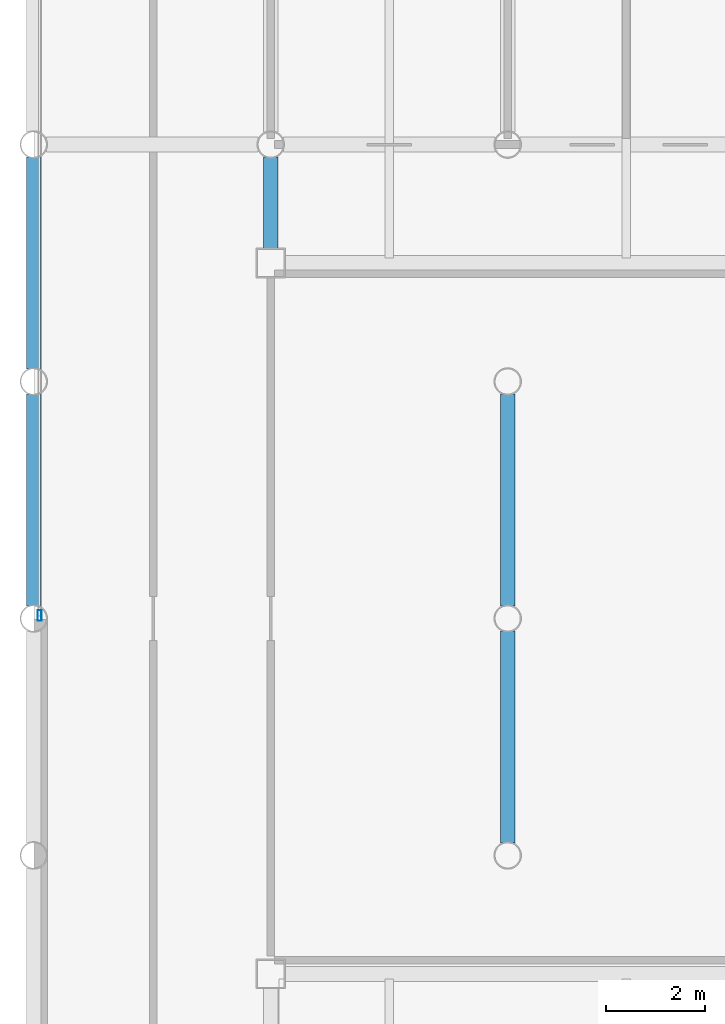
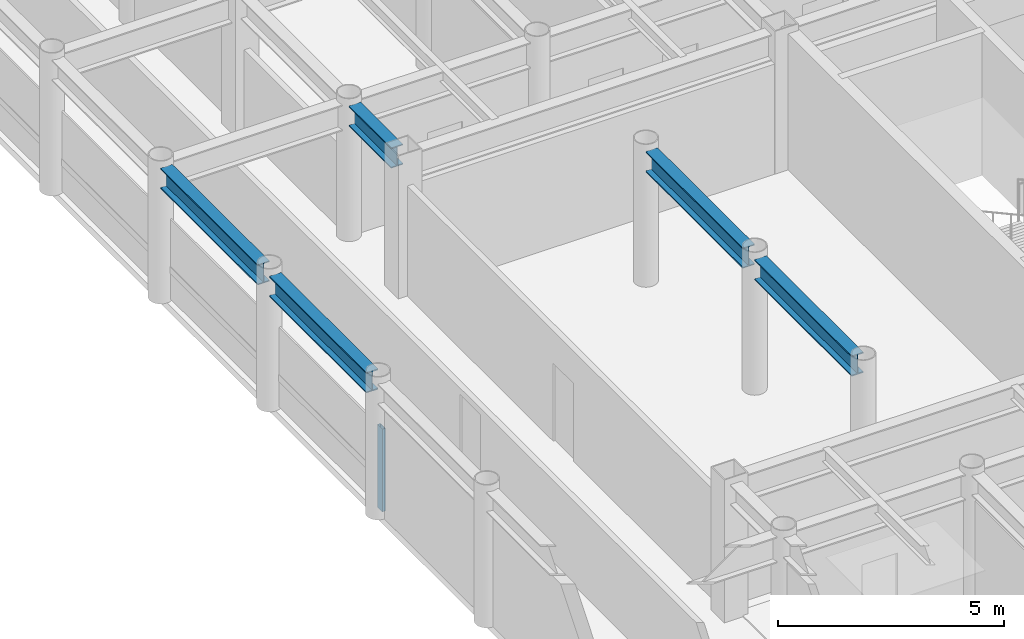
# One storey, part 6 of 24: 5 beams, 1 member, 1 element without a shape of its own.
"""IFC4 building model written with IfcOpenShell, lengths in metres."""

from ifc_helpers import new_model, si_unit, direction, frame, origin, origin_2d, place, context, subcontext, project, spatial, hollow_rectangle, i_section, extrude, material, layer, layer_set, material_profile, profile_set, type_object, element, aggregate, save


model = new_model("IFC4")

# Units and contexts
model_context = context("Model", 3, precision=1e-05, world=origin(), true_north=direction((0.0, 1.0)))
body_context = subcontext(model_context, "Body", "Model", "MODEL_VIEW")
ifc_project = project(units=[si_unit("LENGTHUNIT", "METRE"), si_unit("AREAUNIT", "SQUARE_METRE"), si_unit("VOLUMEUNIT", "CUBIC_METRE"), si_unit("PLANEANGLEUNIT", "RADIAN"), si_unit("MASSUNIT", "GRAM", prefix="KILO")], contexts=[model_context])

# Site, building, storey
site_placement = place(None, origin())
site = spatial("IfcSite", under=ifc_project, at=site_placement, CompositionType="ELEMENT")
building_placement = place(site_placement, origin())
building = spatial("IfcBuilding", under=site, at=building_placement, Name="Kallvorn Hotel Tower", CompositionType="ELEMENT")
storey_placement = place(building_placement, frame((0.0, 0.0, 233.85009765625)))
storey = spatial("IfcBuildingStorey", under=building, at=storey_placement, Name="L58", CompositionType="ELEMENT", Elevation=233.85009765625)

# Beams
ifc_material_1 = material(Name="Structural steel S355JR", Category="steel")
ifc_material_profile_1 = material_profile(ifc_material_1, i_section(OverallWidth=0.300048828125, OverallDepth=0.550048828125, WebThickness=0.014892578125, FlangeThickness=0.029052734375, at=origin_2d()), Name="HE 550 B")
ifc_profile_set_1 = profile_set([ifc_material_profile_1], Name="Structural steel S355JR")
beam_type = type_object("IfcBeamType", Name="BM_HE550B", PredefinedType="SPANDREL", material=ifc_profile_set_1)
for number, where, z_axis, x_axis, name in (
    (1, (-28.800048828125, 0.25439453125, 3.39501953125), (0.0, 1.0, 0.0), (-1.0, 0.0, 0.0), "L59 Primary Y-Girder 77"),
    (2, (-28.800048828125, 5.054443359375, 3.39501953125), (0.0, 1.0, 0.0), (-1.0, 0.0, 0.0), "L59 Primary Y-Girder 78"),
):
    element("IfcBeam", number, at=place(storey_placement, frame(where, z_axis=z_axis, x_axis=x_axis)), inside=storey, type_object=beam_type, Name=name, PredefinedType="SPANDREL", context=body_context, shape_type="SweptSolid", body=[
        extrude(i_section(OverallWidth=0.300048828125, OverallDepth=0.550048828125, WebThickness=0.014892578125, FlangeThickness=0.029052734375, at=origin_2d()), origin(), (0.0, 0.0, 1.0), 4.291015625),
    ])
beam_placement = place(storey_placement, frame((-24.0, 7.47509765625, 3.39501953125), z_axis=(0.0, 1.0, 0.0), x_axis=(-1.0, 0.0, 0.0)))
element("IfcBeam", 3, at=beam_placement, inside=storey, type_object=beam_type, Name="L59 Primary Y-Girder 84", PredefinedType="SPANDREL", context=body_context, shape_type="SweptSolid", body=[
    extrude(i_section(OverallWidth=0.300048828125, OverallDepth=0.550048828125, WebThickness=0.014892578125, FlangeThickness=0.029052734375, at=origin_2d()), origin(), (0.0, 0.0, 1.0), 1.870361328125),
])
for number, where, z_axis, x_axis, name in (
    (4, (-19.199951171875, -4.54541015625, 3.39501953125), (0.0, 1.0, 0.0), (-1.0, 0.0, 0.0), "L59 Primary Y-Girder 91"),
    (5, (-19.199951171875, 0.25439453125, 3.39501953125), (0.0, 1.0, 0.0), (-1.0, 0.0, 0.0), "L59 Primary Y-Girder 92"),
):
    element("IfcBeam", number, at=place(storey_placement, frame(where, z_axis=z_axis, x_axis=x_axis)), inside=storey, type_object=beam_type, Name=name, PredefinedType="SPANDREL", context=body_context, shape_type="SweptSolid", body=[
        extrude(i_section(OverallWidth=0.300048828125, OverallDepth=0.550048828125, WebThickness=0.014892578125, FlangeThickness=0.029052734375, at=origin_2d()), origin(), (0.0, 0.0, 1.0), 4.291015625),
    ])

# Curtain wall, member
ifc_material_2 = material(Name="Thermally broken black-anodised aluminium AA 6063-T6", Category="aluminium")
ifc_layer = layer(ifc_material_2, 0.22998046875)
ifc_layer_set = layer_set([ifc_layer], Name="CW_SYS_5_HOTEL_HIGH")
curtain_wall_type = type_object("IfcCurtainWallType", Name="CW_SYS_5_HOTEL_HIGH", PredefinedType="USERDEFINED", material=ifc_layer_set)
curtain_wall_placement = place(storey_placement, origin())
curtain_wall = element("IfcCurtainWall", 6, at=curtain_wall_placement, inside=storey, type_object=curtain_wall_type, Name="L58 Dark-Glass Curtain Wall CW-L58-WN", ObjectType="UNITISED CURTAIN WALL", PredefinedType="USERDEFINED")
ifc_material_3 = material(Name="Thermally broken black-anodised aluminium AA 6063-T6", Category="aluminium")
ifc_material_profile_2 = material_profile(ifc_material_3, hollow_rectangle(XDim=0.080078125, YDim=0.219970703125, WallThickness=0.0048828125, at=origin_2d()), Name="MUL 220x80")
ifc_profile_set_2 = profile_set([ifc_material_profile_2], Name="Thermally broken black-anodised aluminium AA 6063-T6")
member_type = type_object("IfcMemberType", Name="CW_MULLION_220x80", PredefinedType="MULLION", material=ifc_profile_set_2)
member_placement = place(storey_placement, frame((-28.679931640625, 0.06005859375, 0.02001953125), z_axis=(0.0, 0.0, 1.0), x_axis=(1.0, 0.0, 0.0)))
member = element("IfcMember", 7, at=member_placement, type_object=member_type, Name="CW-L58-WN Mullion 00", PredefinedType="MULLION", context=body_context, shape_type="SweptSolid", body=[
    extrude(hollow_rectangle(XDim=0.080078125, YDim=0.219970703125, WallThickness=0.0048828125, at=origin_2d()), origin(), (0.0, 0.0, 1.0), 2.22998046875),
])
aggregate(curtain_wall, [member])

save(model, "model.ifc")
